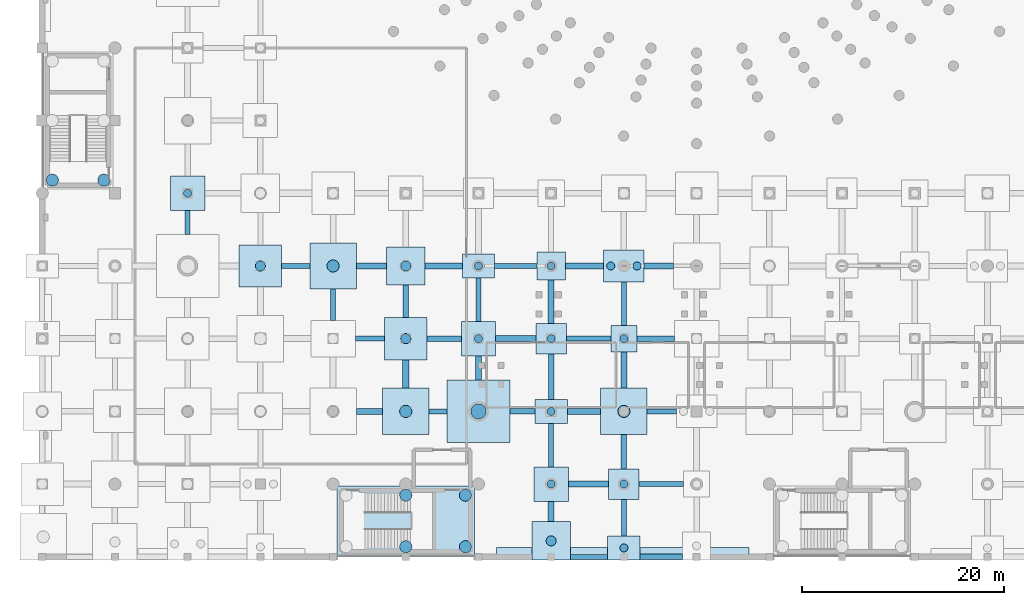
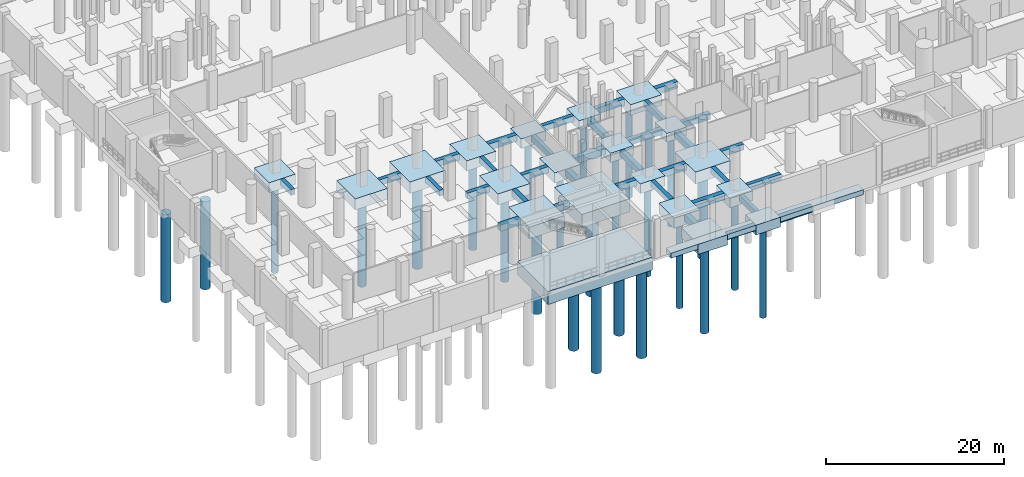
# One storey, part 2 of 37: 55 footings, 26 piles.
"""IFC4 building model written with IfcOpenShell, lengths in metres."""

from ifc_helpers import new_model, si_unit, direction, frame, origin, origin_2d, place, context, subcontext, project, spatial, rectangle, circle, extrude, material, material_profile, profile_set, type_object, element, save


model = new_model("IFC4")

# Units and contexts
model_context = context("Model", 3, precision=1e-05, world=origin(), true_north=direction((0.0, 1.0)))
body_context = subcontext(model_context, "Body", "Model", "MODEL_VIEW")
ifc_project = project(units=[si_unit("LENGTHUNIT", "METRE"), si_unit("AREAUNIT", "SQUARE_METRE"), si_unit("VOLUMEUNIT", "CUBIC_METRE"), si_unit("PLANEANGLEUNIT", "RADIAN"), si_unit("MASSUNIT", "GRAM", prefix="KILO")], contexts=[model_context])

# Site, building, storey
site_placement = place(None, origin())
site = spatial("IfcSite", under=ifc_project, at=site_placement, CompositionType="ELEMENT")
building_placement = place(site_placement, origin())
building = spatial("IfcBuilding", under=site, at=building_placement, Name="Qandorah Velis Arena", CompositionType="ELEMENT")
storey_placement = place(building_placement, frame((0.0, 0.0, -5.39990234375)))
storey = spatial("IfcBuildingStorey", under=building, at=storey_placement, Name="B1", CompositionType="ELEMENT", Elevation=-5.39990234375)

# Footings
ifc_material = material(Name="Concrete C40/50", Category="concrete")
footing_type_1 = type_object("IfcFootingType", Name="STR-CAP-PC1", PredefinedType="PILE_CAP", material=ifc_material)
footing_1_placement = place(storey_placement, frame((43.199951171875, 14.39990234375, -1.80029296875), z_axis=(0.0, 0.0, 1.0), x_axis=(1.0, 0.0, 0.0)))
element("IfcFooting", 1, at=footing_1_placement, inside=storey, type_object=footing_type_1, Name="Pile cap CAP-B1-102", PredefinedType="PILE_CAP", context=body_context, shape_type="SweptSolid", body=[
    extrude(rectangle(XDim=6.199951171875, YDim=6.199951171875, at=origin_2d()), origin(), (0.0, 0.0, 1.0), 1.800048828125),
])
footing_type_2 = type_object("IfcFootingType", Name="STR-CAP-PC10", PredefinedType="PILE_CAP", material=ifc_material)
footing_2_placement = place(storey_placement, frame((57.60009765625, 21.60009765625, -1.2001953125), z_axis=(0.0, 0.0, 1.0), x_axis=(1.0, 0.0, 0.0)))
element("IfcFooting", 2, at=footing_2_placement, inside=storey, type_object=footing_type_2, Name="Pile cap CAP-B1-127", PredefinedType="PILE_CAP", context=body_context, shape_type="SweptSolid", body=[
    extrude(rectangle(XDim=2.60009765625, YDim=2.60009765625, at=origin_2d()), origin(), (0.0, 0.0, 1.0), 1.199951171875),
])
footing_type_3 = type_object("IfcFootingType", Name="STR-CAP-PC11", PredefinedType="PILE_CAP", material=ifc_material)
footing_3_placement = place(storey_placement, frame((36.0, 3.550048828125, -1.80029296875), z_axis=(0.0, 0.0, 1.0), x_axis=(1.0, 0.0, 0.0)))
element("IfcFooting", 3, at=footing_3_placement, inside=storey, type_object=footing_type_3, Name="Pile cap CAP-CORE-CORE-01", PredefinedType="PILE_CAP", context=body_context, shape_type="SweptSolid", body=[
    extrude(rectangle(XDim=13.60009765625, YDim=6.89990234375, at=origin_2d()), origin(), (0.0, 0.0, 1.0), 1.800048828125),
])
footing_type_4 = type_object("IfcFootingType", Name="STR-CAP-PC14", PredefinedType="PILE_CAP", material=ifc_material)
footing_4_placement = place(storey_placement, frame((57.60009765625, 28.800048828125, -1.4501953125), z_axis=(0.0, 0.0, 1.0), x_axis=(1.0, 0.0, 0.0)))
element("IfcFooting", 4, at=footing_4_placement, inside=storey, type_object=footing_type_4, Name="Pile cap CAP-B1-128", PredefinedType="PILE_CAP", context=body_context, shape_type="SweptSolid", body=[
    extrude(rectangle(XDim=4.0, YDim=3.199951171875, at=origin_2d()), origin(), (0.0, 0.0, 1.0), 1.449951171875),
])
footing_type_5 = type_object("IfcFootingType", Name="STR-CAP-PC3", PredefinedType="PILE_CAP", material=ifc_material)
for number, where, z_axis, x_axis, name in (
    (5, (28.800048828125, 28.800048828125, -1.60009765625), (0.0, 0.0, 1.0), (1.0, 0.0, 0.0), "Pile cap CAP-B1-080"),
    (6, (36.0, 14.39990234375, -1.60009765625), (0.0, 0.0, 1.0), (1.0, 0.0, 0.0), "Pile cap CAP-B1-090"),
    (7, (57.60009765625, 14.39990234375, -1.60009765625), (0.0, 0.0, 1.0), (1.0, 0.0, 0.0), "Pile cap CAP-B1-126"),
):
    element("IfcFooting", number, at=place(storey_placement, frame(where, z_axis=z_axis, x_axis=x_axis)), inside=storey, type_object=footing_type_5, Name=name, PredefinedType="PILE_CAP", context=body_context, shape_type="SweptSolid", body=[
        extrude(rectangle(XDim=4.60009765625, YDim=4.60009765625, at=origin_2d()), origin(), (0.0, 0.0, 1.0), 1.60009765625),
    ])
footing_type_6 = type_object("IfcFootingType", Name="STR-CAP-PC4", PredefinedType="PILE_CAP", material=ifc_material)
for number, where, z_axis, x_axis, name in (
    (8, (21.60009765625, 28.800048828125, -1.5), (0.0, 0.0, 1.0), (1.0, 0.0, 0.0), "Pile cap CAP-B1-061"),
    (9, (36.0, 21.60009765625, -1.5), (0.0, 0.0, 1.0), (1.0, 0.0, 0.0), "Pile cap CAP-B1-091"),
):
    element("IfcFooting", number, at=place(storey_placement, frame(where, z_axis=z_axis, x_axis=x_axis)), inside=storey, type_object=footing_type_6, Name=name, PredefinedType="PILE_CAP", context=body_context, shape_type="SweptSolid", body=[
        extrude(rectangle(XDim=4.199951171875, YDim=4.199951171875, at=origin_2d()), origin(), (0.0, 0.0, 1.0), 1.5),
    ])
footing_type_7 = type_object("IfcFootingType", Name="STR-CAP-PC5", PredefinedType="PILE_CAP", material=ifc_material)
for number, where, z_axis, x_axis, name in (
    (10, (36.0, 28.800048828125, -1.400146484375), (0.0, 0.0, 1.0), (1.0, 0.0, 0.0), "Pile cap CAP-B1-092"),
    (11, (50.39990234375, 1.580078125, -1.400146484375), (0.0, 0.0, 1.0), (1.0, 0.0, 0.0), "Pile cap CAP-B1-112"),
):
    element("IfcFooting", number, at=place(storey_placement, frame(where, z_axis=z_axis, x_axis=x_axis)), inside=storey, type_object=footing_type_7, Name=name, PredefinedType="PILE_CAP", context=body_context, shape_type="SweptSolid", body=[
        extrude(rectangle(XDim=3.800048828125, YDim=3.800048828125, at=origin_2d()), origin(), (0.0, 0.0, 1.0), 1.39990234375),
    ])
footing_type_8 = type_object("IfcFootingType", Name="STR-CAP-PC6", PredefinedType="PILE_CAP", material=ifc_material)
for number, where, z_axis, x_axis, name in (
    (12, (14.39990234375, 36.0, -1.400146484375), (0.0, 0.0, 1.0), (1.0, 0.0, 0.0), "Pile cap CAP-B1-043"),
    (13, (43.199951171875, 21.60009765625, -1.400146484375), (0.0, 0.0, 1.0), (1.0, 0.0, 0.0), "Pile cap CAP-B1-103"),
    (14, (50.39990234375, 7.199951171875, -1.400146484375), (0.0, 0.0, 1.0), (1.0, 0.0, 0.0), "Pile cap CAP-B1-113"),
):
    element("IfcFooting", number, at=place(storey_placement, frame(where, z_axis=z_axis, x_axis=x_axis)), inside=storey, type_object=footing_type_8, Name=name, PredefinedType="PILE_CAP", context=body_context, shape_type="SweptSolid", body=[
        extrude(rectangle(XDim=3.39990234375, YDim=3.39990234375, at=origin_2d()), origin(), (0.0, 0.0, 1.0), 1.39990234375),
    ])
footing_type_9 = type_object("IfcFootingType", Name="STR-CAP-PC7", PredefinedType="PILE_CAP", material=ifc_material)
for number, where, z_axis, x_axis, name in (
    (15, (43.199951171875, 28.800048828125, -1.35009765625), (0.0, 0.0, 1.0), (1.0, 0.0, 0.0), "Pile cap CAP-B1-104"),
    (16, (50.39990234375, 14.39990234375, -1.35009765625), (0.0, 0.0, 1.0), (1.0, 0.0, 0.0), "Pile cap CAP-B1-114"),
    (17, (57.60009765625, 0.8798828125, -1.35009765625), (0.0, 0.0, 1.0), (1.0, 0.0, 0.0), "Pile cap CAP-B1-124"),
):
    element("IfcFooting", number, at=place(storey_placement, frame(where, z_axis=z_axis, x_axis=x_axis)), inside=storey, type_object=footing_type_9, Name=name, PredefinedType="PILE_CAP", context=body_context, shape_type="SweptSolid", body=[
        extrude(rectangle(XDim=3.199951171875, YDim=2.39990234375, at=origin_2d()), origin(), (0.0, 0.0, 1.0), 1.35009765625),
    ])
footing_type_10 = type_object("IfcFootingType", Name="STR-CAP-PC8", PredefinedType="PILE_CAP", material=ifc_material)
for number, where, z_axis, x_axis, name in (
    (18, (50.39990234375, 21.60009765625, -1.30029296875), (0.0, 0.0, 1.0), (1.0, 0.0, 0.0), "Pile cap CAP-B1-115"),
    (19, (57.60009765625, 7.199951171875, -1.30029296875), (0.0, 0.0, 1.0), (1.0, 0.0, 0.0), "Pile cap CAP-B1-125"),
):
    element("IfcFooting", number, at=place(storey_placement, frame(where, z_axis=z_axis, x_axis=x_axis)), inside=storey, type_object=footing_type_10, Name=name, PredefinedType="PILE_CAP", context=body_context, shape_type="SweptSolid", body=[
        extrude(rectangle(XDim=3.0, YDim=3.0, at=origin_2d()), origin(), (0.0, 0.0, 1.0), 1.300048828125),
    ])
footing_type_11 = type_object("IfcFootingType", Name="STR-CAP-PC9", PredefinedType="PILE_CAP", material=ifc_material)
footing_5_placement = place(storey_placement, frame((50.39990234375, 28.800048828125, -1.25), z_axis=(0.0, 0.0, 1.0), x_axis=(1.0, 0.0, 0.0)))
element("IfcFooting", 20, at=footing_5_placement, inside=storey, type_object=footing_type_11, Name="Pile cap CAP-B1-116", PredefinedType="PILE_CAP", context=body_context, shape_type="SweptSolid", body=[
    extrude(rectangle(XDim=2.800048828125, YDim=2.800048828125, at=origin_2d()), origin(), (0.0, 0.0, 1.0), 1.25),
])
ifc_material_profile_1 = material_profile(ifc_material, rectangle(XDim=0.60009765625, YDim=0.89990234375, at=origin_2d()), Name="GB1 600x900")
ifc_profile_set_1 = profile_set([ifc_material_profile_1], Name="Concrete C40/50")
footing_type_12 = type_object("IfcFootingType", Name="STR-GB-FB1", PredefinedType="FOOTING_BEAM", material=ifc_profile_set_1)
footing_6_placement = place(storey_placement, frame((36.0, 16.699951171875, -0.4501953125), z_axis=(0.0, 1.0, 0.0), x_axis=(-1.0, 0.0, 0.0)))
element("IfcFooting", 21, at=footing_6_placement, inside=storey, type_object=footing_type_12, Name="Ground tie beam GB-063", PredefinedType="FOOTING_BEAM", context=body_context, shape_type="SweptSolid", body=[
    extrude(rectangle(XDim=0.60009765625, YDim=0.89990234375, at=origin_2d()), origin(), (0.0, 0.0, 1.0), 2.800048828125),
])
footing_7_placement = place(storey_placement, frame((43.199951171875, 17.5, -0.4501953125), z_axis=(0.0, 1.0, 0.0), x_axis=(-1.0, 0.0, 0.0)))
element("IfcFooting", 22, at=footing_7_placement, inside=storey, type_object=footing_type_12, Name="Ground tie beam GB-069", PredefinedType="FOOTING_BEAM", context=body_context, shape_type="SweptSolid", body=[
    extrude(rectangle(XDim=0.60009765625, YDim=0.89990234375, at=origin_2d()), origin(), (0.0, 0.0, 1.0), 2.39990234375),
])
footing_8_placement = place(storey_placement, frame((50.39990234375, 3.47998046875, -0.4501953125), z_axis=(0.0, 1.0, 0.0), x_axis=(-1.0, 0.0, 0.0)))
element("IfcFooting", 23, at=footing_8_placement, inside=storey, type_object=footing_type_12, Name="Ground tie beam GB-075", PredefinedType="FOOTING_BEAM", context=body_context, shape_type="SweptSolid", body=[
    extrude(rectangle(XDim=0.60009765625, YDim=0.89990234375, at=origin_2d()), origin(), (0.0, 0.0, 1.0), 2.02001953125),
])
footing_9_placement = place(storey_placement, frame((50.39990234375, 23.10009765625, -0.4501953125), z_axis=(0.0, 1.0, 0.0), x_axis=(-1.0, 0.0, 0.0)))
element("IfcFooting", 24, at=footing_9_placement, inside=storey, type_object=footing_type_12, Name="Ground tie beam GB-078", PredefinedType="FOOTING_BEAM", context=body_context, shape_type="SweptSolid", body=[
    extrude(rectangle(XDim=0.60009765625, YDim=0.89990234375, at=origin_2d()), origin(), (0.0, 0.0, 1.0), 4.2998046875),
])
footing_10_placement = place(storey_placement, frame((57.60009765625, 16.699951171875, -0.4501953125), z_axis=(0.0, 1.0, 0.0), x_axis=(-1.0, 0.0, 0.0)))
element("IfcFooting", 25, at=footing_10_placement, inside=storey, type_object=footing_type_12, Name="Ground tie beam GB-087", PredefinedType="FOOTING_BEAM", context=body_context, shape_type="SweptSolid", body=[
    extrude(rectangle(XDim=0.60009765625, YDim=0.89990234375, at=origin_2d()), origin(), (0.0, 0.0, 1.0), 3.60009765625),
])
footing_11_placement = place(storey_placement, frame((52.10009765625, 7.199951171875, -0.4501953125), z_axis=(1.0, 0.0, 0.0), x_axis=(0.0, 1.0, 0.0)))
element("IfcFooting", 26, at=footing_11_placement, inside=storey, type_object=footing_type_12, Name="Ground tie beam GB-282", PredefinedType="FOOTING_BEAM", context=body_context, shape_type="SweptSolid", body=[
    extrude(rectangle(XDim=0.60009765625, YDim=0.89990234375, at=origin_2d()), origin(), (0.0, 0.0, 1.0), 4.0),
])
footing_12_placement = place(storey_placement, frame((31.10009765625, 14.39990234375, -0.4501953125), z_axis=(1.0, 0.0, 0.0), x_axis=(0.0, 1.0, 0.0)))
element("IfcFooting", 27, at=footing_12_placement, inside=storey, type_object=footing_type_12, Name="Ground tie beam GB-297", PredefinedType="FOOTING_BEAM", context=body_context, shape_type="SweptSolid", body=[
    extrude(rectangle(XDim=0.60009765625, YDim=0.89990234375, at=origin_2d()), origin(), (0.0, 0.0, 1.0), 2.599853515625),
])
footing_13_placement = place(storey_placement, frame((52.0, 14.39990234375, -0.4501953125), z_axis=(1.0, 0.0, 0.0), x_axis=(0.0, 1.0, 0.0)))
element("IfcFooting", 28, at=footing_13_placement, inside=storey, type_object=footing_type_12, Name="Ground tie beam GB-300", PredefinedType="FOOTING_BEAM", context=body_context, shape_type="SweptSolid", body=[
    extrude(rectangle(XDim=0.60009765625, YDim=0.89990234375, at=origin_2d()), origin(), (0.0, 0.0, 1.0), 3.300048828125),
])
footing_14_placement = place(storey_placement, frame((44.89990234375, 21.60009765625, -0.4501953125), z_axis=(1.0, 0.0, 0.0), x_axis=(0.0, 1.0, 0.0)))
element("IfcFooting", 29, at=footing_14_placement, inside=storey, type_object=footing_type_12, Name="Ground tie beam GB-321", PredefinedType="FOOTING_BEAM", context=body_context, shape_type="SweptSolid", body=[
    extrude(rectangle(XDim=0.60009765625, YDim=0.89990234375, at=origin_2d()), origin(), (0.0, 0.0, 1.0), 4.0),
])
footing_15_placement = place(storey_placement, frame((37.89990234375, 28.800048828125, -0.4501953125), z_axis=(1.0, 0.0, 0.0), x_axis=(0.0, 1.0, 0.0)))
element("IfcFooting", 30, at=footing_15_placement, inside=storey, type_object=footing_type_12, Name="Ground tie beam GB-342", PredefinedType="FOOTING_BEAM", context=body_context, shape_type="SweptSolid", body=[
    extrude(rectangle(XDim=0.60009765625, YDim=0.89990234375, at=origin_2d()), origin(), (0.0, 0.0, 1.0), 3.7001953125),
])
footing_16_placement = place(storey_placement, frame((59.60009765625, 28.800048828125, -0.4501953125), z_axis=(1.0, 0.0, 0.0), x_axis=(0.0, 1.0, 0.0)))
element("IfcFooting", 31, at=footing_16_placement, inside=storey, type_object=footing_type_12, Name="Ground tie beam GB-345", PredefinedType="FOOTING_BEAM", context=body_context, shape_type="SweptSolid", body=[
    extrude(rectangle(XDim=0.60009765625, YDim=0.89990234375, at=origin_2d()), origin(), (0.0, 0.0, 1.0), 2.89990234375),
])
ifc_material_profile_2 = material_profile(ifc_material, rectangle(XDim=0.5, YDim=0.800048828125, at=origin_2d()), Name="GB2 500x800")
ifc_profile_set_2 = profile_set([ifc_material_profile_2], Name="Concrete C40/50")
footing_type_13 = type_object("IfcFootingType", Name="STR-GB-FB2", PredefinedType="FOOTING_BEAM", material=ifc_profile_set_2)
footing_17_placement = place(storey_placement, frame((14.39990234375, 31.89990234375, -0.400146484375), z_axis=(0.0, 1.0, 0.0), x_axis=(-1.0, 0.0, 0.0)))
element("IfcFooting", 32, at=footing_17_placement, inside=storey, type_object=footing_type_13, Name="Ground tie beam GB-025", PredefinedType="FOOTING_BEAM", context=body_context, shape_type="SweptSolid", body=[
    extrude(rectangle(XDim=0.5, YDim=0.800048828125, at=origin_2d()), origin(), (0.0, 0.0, 1.0), 2.400146484375),
])
footing_18_placement = place(storey_placement, frame((28.800048828125, 23.39990234375, -0.400146484375), z_axis=(0.0, 1.0, 0.0), x_axis=(-1.0, 0.0, 0.0)))
element("IfcFooting", 33, at=footing_18_placement, inside=storey, type_object=footing_type_13, Name="Ground tie beam GB-058", PredefinedType="FOOTING_BEAM", context=body_context, shape_type="SweptSolid", body=[
    extrude(rectangle(XDim=0.5, YDim=0.800048828125, at=origin_2d()), origin(), (0.0, 0.0, 1.0), 3.10009765625),
])
footing_19_placement = place(storey_placement, frame((36.0, 23.699951171875, -0.400146484375), z_axis=(0.0, 1.0, 0.0), x_axis=(-1.0, 0.0, 0.0)))
element("IfcFooting", 34, at=footing_19_placement, inside=storey, type_object=footing_type_13, Name="Ground tie beam GB-064", PredefinedType="FOOTING_BEAM", context=body_context, shape_type="SweptSolid", body=[
    extrude(rectangle(XDim=0.5, YDim=0.800048828125, at=origin_2d()), origin(), (0.0, 0.0, 1.0), 3.199951171875),
])
for number, where, z_axis, x_axis, name in (
    (35, (43.199951171875, 23.300048828125, -0.400146484375), (0.0, 1.0, 0.0), (-1.0, 0.0, 0.0), "Ground tie beam GB-070"),
    (36, (50.39990234375, 8.89990234375, -0.400146484375), (0.0, 1.0, 0.0), (-1.0, 0.0, 0.0), "Ground tie beam GB-076"),
):
    element("IfcFooting", number, at=place(storey_placement, frame(where, z_axis=z_axis, x_axis=x_axis)), inside=storey, type_object=footing_type_13, Name=name, PredefinedType="FOOTING_BEAM", context=body_context, shape_type="SweptSolid", body=[
        extrude(rectangle(XDim=0.5, YDim=0.800048828125, at=origin_2d()), origin(), (0.0, 0.0, 1.0), 4.300048828125),
    ])
footing_20_placement = place(storey_placement, frame((57.60009765625, 2.080078125, -0.400146484375), z_axis=(0.0, 1.0, 0.0), x_axis=(-1.0, 0.0, 0.0)))
element("IfcFooting", 37, at=footing_20_placement, inside=storey, type_object=footing_type_13, Name="Ground tie beam GB-085", PredefinedType="FOOTING_BEAM", context=body_context, shape_type="SweptSolid", body=[
    extrude(rectangle(XDim=0.5, YDim=0.800048828125, at=origin_2d()), origin(), (0.0, 0.0, 1.0), 3.619873046875),
])
footing_21_placement = place(storey_placement, frame((57.60009765625, 22.89990234375, -0.400146484375), z_axis=(0.0, 1.0, 0.0), x_axis=(-1.0, 0.0, 0.0)))
element("IfcFooting", 38, at=footing_21_placement, inside=storey, type_object=footing_type_13, Name="Ground tie beam GB-088", PredefinedType="FOOTING_BEAM", context=body_context, shape_type="SweptSolid", body=[
    extrude(rectangle(XDim=0.5, YDim=0.800048828125, at=origin_2d()), origin(), (0.0, 0.0, 1.0), 4.300048828125),
])
footing_22_placement = place(storey_placement, frame((52.300048828125, 0.0, -0.400146484375), z_axis=(1.0, 0.0, 0.0), x_axis=(0.0, 1.0, 0.0)))
element("IfcFooting", 39, at=footing_22_placement, inside=storey, type_object=footing_type_13, Name="Ground tie beam GB-274", PredefinedType="FOOTING_BEAM", context=body_context, shape_type="SweptSolid", body=[
    extrude(rectangle(XDim=0.5, YDim=0.800048828125, at=origin_2d()), origin(), (0.0, 0.0, 1.0), 3.699951171875),
])
footing_23_placement = place(storey_placement, frame((59.10009765625, 7.199951171875, -0.400146484375), z_axis=(1.0, 0.0, 0.0), x_axis=(0.0, 1.0, 0.0)))
element("IfcFooting", 40, at=footing_23_placement, inside=storey, type_object=footing_type_13, Name="Ground tie beam GB-283", PredefinedType="FOOTING_BEAM", context=body_context, shape_type="SweptSolid", body=[
    extrude(rectangle(XDim=0.5, YDim=0.800048828125, at=origin_2d()), origin(), (0.0, 0.0, 1.0), 4.39990234375),
])
footing_24_placement = place(storey_placement, frame((38.300048828125, 14.39990234375, -0.400146484375), z_axis=(1.0, 0.0, 0.0), x_axis=(0.0, 1.0, 0.0)))
element("IfcFooting", 41, at=footing_24_placement, inside=storey, type_object=footing_type_13, Name="Ground tie beam GB-298", PredefinedType="FOOTING_BEAM", context=body_context, shape_type="SweptSolid", body=[
    extrude(rectangle(XDim=0.5, YDim=0.800048828125, at=origin_2d()), origin(), (0.0, 0.0, 1.0), 1.800048828125),
])
footing_25_placement = place(storey_placement, frame((59.89990234375, 14.39990234375, -0.400146484375), z_axis=(1.0, 0.0, 0.0), x_axis=(0.0, 1.0, 0.0)))
element("IfcFooting", 42, at=footing_25_placement, inside=storey, type_object=footing_type_13, Name="Ground tie beam GB-301", PredefinedType="FOOTING_BEAM", context=body_context, shape_type="SweptSolid", body=[
    extrude(rectangle(XDim=0.5, YDim=0.800048828125, at=origin_2d()), origin(), (0.0, 0.0, 1.0), 2.900146484375),
])
footing_26_placement = place(storey_placement, frame((31.0, 21.60009765625, -0.400146484375), z_axis=(1.0, 0.0, 0.0), x_axis=(0.0, 1.0, 0.0)))
element("IfcFooting", 43, at=footing_26_placement, inside=storey, type_object=footing_type_13, Name="Ground tie beam GB-319", PredefinedType="FOOTING_BEAM", context=body_context, shape_type="SweptSolid", body=[
    extrude(rectangle(XDim=0.5, YDim=0.800048828125, at=origin_2d()), origin(), (0.0, 0.0, 1.0), 2.89990234375),
])
footing_27_placement = place(storey_placement, frame((51.89990234375, 21.60009765625, -0.400146484375), z_axis=(1.0, 0.0, 0.0), x_axis=(0.0, 1.0, 0.0)))
element("IfcFooting", 44, at=footing_27_placement, inside=storey, type_object=footing_type_13, Name="Ground tie beam GB-322", PredefinedType="FOOTING_BEAM", context=body_context, shape_type="SweptSolid", body=[
    extrude(rectangle(XDim=0.5, YDim=0.800048828125, at=origin_2d()), origin(), (0.0, 0.0, 1.0), 4.400146484375),
])
footing_28_placement = place(storey_placement, frame((23.699951171875, 28.800048828125, -0.400146484375), z_axis=(1.0, 0.0, 0.0), x_axis=(0.0, 1.0, 0.0)))
element("IfcFooting", 45, at=footing_28_placement, inside=storey, type_object=footing_type_13, Name="Ground tie beam GB-340", PredefinedType="FOOTING_BEAM", context=body_context, shape_type="SweptSolid", body=[
    extrude(rectangle(XDim=0.5, YDim=0.800048828125, at=origin_2d()), origin(), (0.0, 0.0, 1.0), 2.800048828125),
])
footing_29_placement = place(storey_placement, frame((44.800048828125, 28.800048828125, -0.400146484375), z_axis=(1.0, 0.0, 0.0), x_axis=(0.0, 1.0, 0.0)))
element("IfcFooting", 46, at=footing_29_placement, inside=storey, type_object=footing_type_13, Name="Ground tie beam GB-343", PredefinedType="FOOTING_BEAM", context=body_context, shape_type="SweptSolid", body=[
    extrude(rectangle(XDim=0.5, YDim=0.800048828125, at=origin_2d()), origin(), (0.0, 0.0, 1.0), 4.199951171875),
])
ifc_material_profile_3 = material_profile(ifc_material, rectangle(XDim=0.550048828125, YDim=0.85009765625, at=origin_2d()), Name="GB3 550x850")
ifc_profile_set_3 = profile_set([ifc_material_profile_3], Name="Concrete C40/50")
footing_type_14 = type_object("IfcFootingType", Name="STR-GB-FB3", PredefinedType="FOOTING_BEAM", material=ifc_profile_set_3)
footing_30_placement = place(storey_placement, frame((50.39990234375, 15.60009765625, -0.425048828125), z_axis=(0.0, 1.0, 0.0), x_axis=(-1.0, 0.0, 0.0)))
element("IfcFooting", 47, at=footing_30_placement, inside=storey, type_object=footing_type_14, Name="Ground tie beam GB-077", PredefinedType="FOOTING_BEAM", context=body_context, shape_type="SweptSolid", body=[
    extrude(rectangle(XDim=0.550048828125, YDim=0.85009765625, at=origin_2d()), origin(), (0.0, 0.0, 1.0), 4.5),
])
footing_31_placement = place(storey_placement, frame((57.60009765625, 8.699951171875, -0.425048828125), z_axis=(0.0, 1.0, 0.0), x_axis=(-1.0, 0.0, 0.0)))
element("IfcFooting", 48, at=footing_31_placement, inside=storey, type_object=footing_type_14, Name="Ground tie beam GB-086", PredefinedType="FOOTING_BEAM", context=body_context, shape_type="SweptSolid", body=[
    extrude(rectangle(XDim=0.550048828125, YDim=0.85009765625, at=origin_2d()), origin(), (0.0, 0.0, 1.0), 3.400146484375),
])
footing_32_placement = place(storey_placement, frame((59.199951171875, 0.0, -0.425048828125), z_axis=(1.0, 0.0, 0.0), x_axis=(0.0, 1.0, 0.0)))
element("IfcFooting", 49, at=footing_32_placement, inside=storey, type_object=footing_type_14, Name="Ground tie beam GB-275", PredefinedType="FOOTING_BEAM", context=body_context, shape_type="SweptSolid", body=[
    extrude(rectangle(XDim=0.550048828125, YDim=0.85009765625, at=origin_2d()), origin(), (0.0, 0.0, 1.0), 4.199951171875),
])
footing_33_placement = place(storey_placement, frame((46.300048828125, 14.39990234375, -0.425048828125), z_axis=(1.0, 0.0, 0.0), x_axis=(0.0, 1.0, 0.0)))
element("IfcFooting", 50, at=footing_33_placement, inside=storey, type_object=footing_type_14, Name="Ground tie beam GB-299", PredefinedType="FOOTING_BEAM", context=body_context, shape_type="SweptSolid", body=[
    extrude(rectangle(XDim=0.550048828125, YDim=0.85009765625, at=origin_2d()), origin(), (0.0, 0.0, 1.0), 2.5),
])
footing_34_placement = place(storey_placement, frame((38.10009765625, 21.60009765625, -0.425048828125), z_axis=(1.0, 0.0, 0.0), x_axis=(0.0, 1.0, 0.0)))
element("IfcFooting", 51, at=footing_34_placement, inside=storey, type_object=footing_type_14, Name="Ground tie beam GB-320", PredefinedType="FOOTING_BEAM", context=body_context, shape_type="SweptSolid", body=[
    extrude(rectangle(XDim=0.550048828125, YDim=0.85009765625, at=origin_2d()), origin(), (0.0, 0.0, 1.0), 3.39990234375),
])
footing_35_placement = place(storey_placement, frame((58.89990234375, 21.60009765625, -0.425048828125), z_axis=(1.0, 0.0, 0.0), x_axis=(0.0, 1.0, 0.0)))
element("IfcFooting", 52, at=footing_35_placement, inside=storey, type_object=footing_type_14, Name="Ground tie beam GB-323", PredefinedType="FOOTING_BEAM", context=body_context, shape_type="SweptSolid", body=[
    extrude(rectangle(XDim=0.550048828125, YDim=0.85009765625, at=origin_2d()), origin(), (0.0, 0.0, 1.0), 3.7001953125),
])
footing_36_placement = place(storey_placement, frame((31.10009765625, 28.800048828125, -0.425048828125), z_axis=(1.0, 0.0, 0.0), x_axis=(0.0, 1.0, 0.0)))
element("IfcFooting", 53, at=footing_36_placement, inside=storey, type_object=footing_type_14, Name="Ground tie beam GB-341", PredefinedType="FOOTING_BEAM", context=body_context, shape_type="SweptSolid", body=[
    extrude(rectangle(XDim=0.550048828125, YDim=0.85009765625, at=origin_2d()), origin(), (0.0, 0.0, 1.0), 3.0),
])
footing_37_placement = place(storey_placement, frame((51.800048828125, 28.800048828125, -0.425048828125), z_axis=(1.0, 0.0, 0.0), x_axis=(0.0, 1.0, 0.0)))
element("IfcFooting", 54, at=footing_37_placement, inside=storey, type_object=footing_type_14, Name="Ground tie beam GB-344", PredefinedType="FOOTING_BEAM", context=body_context, shape_type="SweptSolid", body=[
    extrude(rectangle(XDim=0.550048828125, YDim=0.85009765625, at=origin_2d()), origin(), (0.0, 0.0, 1.0), 3.800048828125),
])

# Piles
ifc_material_profile_4 = material_profile(ifc_material, circle(Radius=0.5, at=origin_2d()), Name="BORED PILE D1000")
ifc_profile_set_4 = profile_set([ifc_material_profile_4], Name="Concrete C40/50")
pile_type_1 = type_object("IfcPileType", Name="STR-PILE-BP1000", PredefinedType="BORED", material=ifc_profile_set_4)
for number, where, z_axis, x_axis, name in (
    (55, (21.60009765625, 28.800048828125, -1.400146484375), (0.0, 0.0, -1.0), (1.0, 0.0, 0.0), "Bored pile PILE-CAP-B1-061-11"),
    (56, (36.0, 21.60009765625, -1.400146484375), (0.0, 0.0, -1.0), (1.0, 0.0, 0.0), "Bored pile PILE-CAP-B1-091-11"),
):
    element("IfcPile", number, at=place(storey_placement, frame(where, z_axis=z_axis, x_axis=x_axis)), inside=storey, type_object=pile_type_1, Name=name, PredefinedType="BORED", context=body_context, shape_type="SweptSolid", body=[
        extrude(circle(Radius=0.5, at=origin_2d()), origin(), (0.0, 0.0, 1.0), 12.39990234375),
    ])
for number, where, z_axis, x_axis, name in (
    (57, (36.0, 28.800048828125, -1.300048828125), (0.0, 0.0, -1.0), (1.0, 0.0, 0.0), "Bored pile PILE-CAP-B1-092-11"),
    (58, (50.39990234375, 1.580078125, -1.300048828125), (0.0, 0.0, -1.0), (1.0, 0.0, 0.0), "Bored pile PILE-CAP-B1-112-11"),
):
    element("IfcPile", number, at=place(storey_placement, frame(where, z_axis=z_axis, x_axis=x_axis)), inside=storey, type_object=pile_type_1, Name=name, PredefinedType="BORED", context=body_context, shape_type="SweptSolid", body=[
        extrude(circle(Radius=0.5, at=origin_2d()), origin(), (0.0, 0.0, 1.0), 12.5),
    ])
ifc_material_profile_5 = material_profile(ifc_material, circle(Radius=0.60009765625, at=origin_2d()), Name="BORED PILE D1200")
ifc_profile_set_5 = profile_set([ifc_material_profile_5], Name="Concrete C40/50")
pile_type_2 = type_object("IfcPileType", Name="STR-PILE-BP1200", PredefinedType="BORED", material=ifc_profile_set_5)
for number, where, z_axis, x_axis, name in (
    (59, (36.0, 1.0, -1.7001953125), (0.0, 0.0, -1.0), (1.0, 0.0, 0.0), "Bored pile PILE-CAP-CORE-CORE-01-21"),
    (60, (36.0, 6.10009765625, -1.7001953125), (0.0, 0.0, -1.0), (1.0, 0.0, 0.0), "Bored pile PILE-CAP-CORE-CORE-01-22"),
    (61, (41.89990234375, 1.0, -1.7001953125), (0.0, 0.0, -1.0), (1.0, 0.0, 0.0), "Bored pile PILE-CAP-CORE-CORE-01-31"),
    (62, (41.89990234375, 6.10009765625, -1.7001953125), (0.0, 0.0, -1.0), (1.0, 0.0, 0.0), "Bored pile PILE-CAP-CORE-CORE-01-32"),
    (63, (1.0, 37.300048828125, -1.7001953125), (0.0, 0.0, -1.0), (1.0, 0.0, 0.0), "Bored pile PILE-CAP-CORE-CORE-05-11"),
    (64, (6.10009765625, 37.300048828125, -1.7001953125), (0.0, 0.0, -1.0), (1.0, 0.0, 0.0), "Bored pile PILE-CAP-CORE-CORE-05-21"),
):
    element("IfcPile", number, at=place(storey_placement, frame(where, z_axis=z_axis, x_axis=x_axis)), inside=storey, type_object=pile_type_2, Name=name, PredefinedType="BORED", context=body_context, shape_type="SweptSolid", body=[
        extrude(circle(Radius=0.60009765625, at=origin_2d()), origin(), (0.0, 0.0, 1.0), 12.10009765625),
    ])
for number, where, z_axis, x_axis, name in (
    (65, (28.800048828125, 28.800048828125, -1.5), (0.0, 0.0, -1.0), (1.0, 0.0, 0.0), "Bored pile PILE-CAP-B1-080-11"),
    (66, (36.0, 14.39990234375, -1.5), (0.0, 0.0, -1.0), (1.0, 0.0, 0.0), "Bored pile PILE-CAP-B1-090-11"),
    (67, (57.60009765625, 14.39990234375, -1.5), (0.0, 0.0, -1.0), (1.0, 0.0, 0.0), "Bored pile PILE-CAP-B1-126-11"),
):
    element("IfcPile", number, at=place(storey_placement, frame(where, z_axis=z_axis, x_axis=x_axis)), inside=storey, type_object=pile_type_2, Name=name, PredefinedType="BORED", context=body_context, shape_type="SweptSolid", body=[
        extrude(circle(Radius=0.60009765625, at=origin_2d()), origin(), (0.0, 0.0, 1.0), 12.300048828125),
    ])
ifc_material_profile_6 = material_profile(ifc_material, circle(Radius=0.75, at=origin_2d()), Name="BORED PILE D1500")
ifc_profile_set_6 = profile_set([ifc_material_profile_6], Name="Concrete C40/50")
pile_type_3 = type_object("IfcPileType", Name="STR-PILE-BP1500", PredefinedType="BORED", material=ifc_profile_set_6)
pile_1_placement = place(storey_placement, frame((43.199951171875, 14.39990234375, -1.7001953125), z_axis=(0.0, 0.0, -1.0), x_axis=(1.0, 0.0, 0.0)))
element("IfcPile", 68, at=pile_1_placement, inside=storey, type_object=pile_type_3, Name="Bored pile PILE-CAP-B1-102-11", PredefinedType="BORED", context=body_context, shape_type="SweptSolid", body=[
    extrude(circle(Radius=0.75, at=origin_2d()), origin(), (0.0, 0.0, 1.0), 12.10009765625),
])
ifc_material_profile_7 = material_profile(ifc_material, circle(Radius=0.39990234375, at=origin_2d()), Name="BORED PILE D800")
ifc_profile_set_7 = profile_set([ifc_material_profile_7], Name="Concrete C40/50")
pile_type_4 = type_object("IfcPileType", Name="STR-PILE-BP800", PredefinedType="BORED", material=ifc_profile_set_7)
for number, where, z_axis, x_axis, name in (
    (69, (14.39990234375, 36.0, -1.300048828125), (0.0, 0.0, -1.0), (1.0, 0.0, 0.0), "Bored pile PILE-CAP-B1-043-11"),
    (70, (43.199951171875, 21.60009765625, -1.300048828125), (0.0, 0.0, -1.0), (1.0, 0.0, 0.0), "Bored pile PILE-CAP-B1-103-11"),
):
    element("IfcPile", number, at=place(storey_placement, frame(where, z_axis=z_axis, x_axis=x_axis)), inside=storey, type_object=pile_type_4, Name=name, PredefinedType="BORED", context=body_context, shape_type="SweptSolid", body=[
        extrude(circle(Radius=0.39990234375, at=origin_2d()), origin(), (0.0, 0.0, 1.0), 12.5),
    ])
pile_2_placement = place(storey_placement, frame((43.199951171875, 28.800048828125, -1.25), z_axis=(0.0, 0.0, -1.0), x_axis=(1.0, 0.0, 0.0)))
element("IfcPile", 71, at=pile_2_placement, inside=storey, type_object=pile_type_4, Name="Bored pile PILE-CAP-B1-104-11", PredefinedType="BORED", context=body_context, shape_type="SweptSolid", body=[
    extrude(circle(Radius=0.39990234375, at=origin_2d()), origin(), (0.0, 0.0, 1.0), 12.550048828125),
])
pile_3_placement = place(storey_placement, frame((50.39990234375, 7.199951171875, -1.300048828125), z_axis=(0.0, 0.0, -1.0), x_axis=(1.0, 0.0, 0.0)))
element("IfcPile", 72, at=pile_3_placement, inside=storey, type_object=pile_type_4, Name="Bored pile PILE-CAP-B1-113-11", PredefinedType="BORED", context=body_context, shape_type="SweptSolid", body=[
    extrude(circle(Radius=0.39990234375, at=origin_2d()), origin(), (0.0, 0.0, 1.0), 12.5),
])
pile_4_placement = place(storey_placement, frame((50.39990234375, 14.39990234375, -1.25), z_axis=(0.0, 0.0, -1.0), x_axis=(1.0, 0.0, 0.0)))
element("IfcPile", 73, at=pile_4_placement, inside=storey, type_object=pile_type_4, Name="Bored pile PILE-CAP-B1-114-11", PredefinedType="BORED", context=body_context, shape_type="SweptSolid", body=[
    extrude(circle(Radius=0.39990234375, at=origin_2d()), origin(), (0.0, 0.0, 1.0), 12.550048828125),
])
pile_5_placement = place(storey_placement, frame((50.39990234375, 21.60009765625, -1.2001953125), z_axis=(0.0, 0.0, -1.0), x_axis=(1.0, 0.0, 0.0)))
element("IfcPile", 74, at=pile_5_placement, inside=storey, type_object=pile_type_4, Name="Bored pile PILE-CAP-B1-115-11", PredefinedType="BORED", context=body_context, shape_type="SweptSolid", body=[
    extrude(circle(Radius=0.39990234375, at=origin_2d()), origin(), (0.0, 0.0, 1.0), 12.60009765625),
])
pile_6_placement = place(storey_placement, frame((50.39990234375, 28.800048828125, -1.150146484375), z_axis=(0.0, 0.0, -1.0), x_axis=(1.0, 0.0, 0.0)))
element("IfcPile", 75, at=pile_6_placement, inside=storey, type_object=pile_type_4, Name="Bored pile PILE-CAP-B1-116-11", PredefinedType="BORED", context=body_context, shape_type="SweptSolid", body=[
    extrude(circle(Radius=0.39990234375, at=origin_2d()), origin(), (0.0, 0.0, 1.0), 12.64990234375),
])
pile_7_placement = place(storey_placement, frame((57.60009765625, 0.8798828125, -1.25), z_axis=(0.0, 0.0, -1.0), x_axis=(1.0, 0.0, 0.0)))
element("IfcPile", 76, at=pile_7_placement, inside=storey, type_object=pile_type_4, Name="Bored pile PILE-CAP-B1-124-11", PredefinedType="BORED", context=body_context, shape_type="SweptSolid", body=[
    extrude(circle(Radius=0.39990234375, at=origin_2d()), origin(), (0.0, 0.0, 1.0), 12.550048828125),
])
pile_8_placement = place(storey_placement, frame((57.60009765625, 7.199951171875, -1.2001953125), z_axis=(0.0, 0.0, -1.0), x_axis=(1.0, 0.0, 0.0)))
element("IfcPile", 77, at=pile_8_placement, inside=storey, type_object=pile_type_4, Name="Bored pile PILE-CAP-B1-125-11", PredefinedType="BORED", context=body_context, shape_type="SweptSolid", body=[
    extrude(circle(Radius=0.39990234375, at=origin_2d()), origin(), (0.0, 0.0, 1.0), 12.60009765625),
])
pile_9_placement = place(storey_placement, frame((57.60009765625, 21.60009765625, -1.10009765625), z_axis=(0.0, 0.0, -1.0), x_axis=(1.0, 0.0, 0.0)))
element("IfcPile", 78, at=pile_9_placement, inside=storey, type_object=pile_type_4, Name="Bored pile PILE-CAP-B1-127-11", PredefinedType="BORED", context=body_context, shape_type="SweptSolid", body=[
    extrude(circle(Radius=0.39990234375, at=origin_2d()), origin(), (0.0, 0.0, 1.0), 12.699951171875),
])
for number, where, z_axis, x_axis, name in (
    (79, (56.300048828125, 28.800048828125, -1.35009765625), (0.0, 0.0, -1.0), (1.0, 0.0, 0.0), "Bored pile PILE-CAP-B1-128-11"),
    (80, (58.89990234375, 28.800048828125, -1.35009765625), (0.0, 0.0, -1.0), (1.0, 0.0, 0.0), "Bored pile PILE-CAP-B1-128-21"),
):
    element("IfcPile", number, at=place(storey_placement, frame(where, z_axis=z_axis, x_axis=x_axis)), inside=storey, type_object=pile_type_4, Name=name, PredefinedType="BORED", context=body_context, shape_type="SweptSolid", body=[
        extrude(circle(Radius=0.39990234375, at=origin_2d()), origin(), (0.0, 0.0, 1.0), 12.449951171875),
    ])

# Footing
ifc_material_profile_8 = material_profile(ifc_material, rectangle(XDim=1.199951171875, YDim=0.699951171875, at=origin_2d()), Name="SF1 1200x700")
ifc_profile_set_8 = profile_set([ifc_material_profile_8], Name="Concrete C40/50")
footing_type_15 = type_object("IfcFootingType", Name="STR-SF-SF1", PredefinedType="STRIP_FOOTING", material=ifc_profile_set_8)
footing_38_placement = place(storey_placement, frame((45.0, 0.300048828125, -0.35009765625), z_axis=(1.0, 0.0, 0.0), x_axis=(0.0, 1.0, 0.0)))
element("IfcFooting", 81, at=footing_38_placement, inside=storey, type_object=footing_type_15, Name="Perimeter strip footing SF-05", PredefinedType="STRIP_FOOTING", context=body_context, shape_type="SweptSolid", body=[
    extrude(rectangle(XDim=1.199951171875, YDim=0.699951171875, at=origin_2d()), origin(), (0.0, 0.0, 1.0), 25.0),
])

save(model, "model.ifc")
